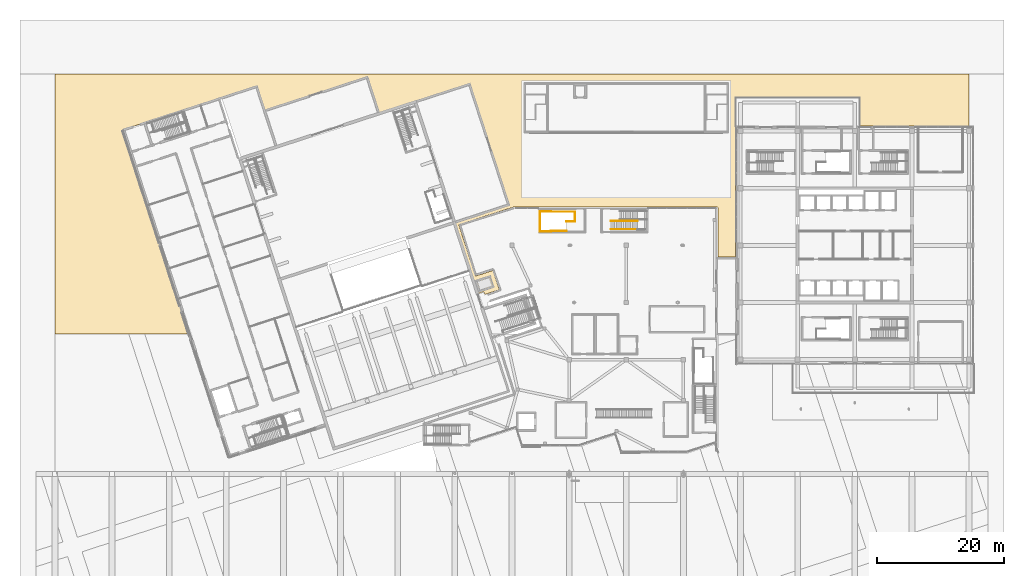
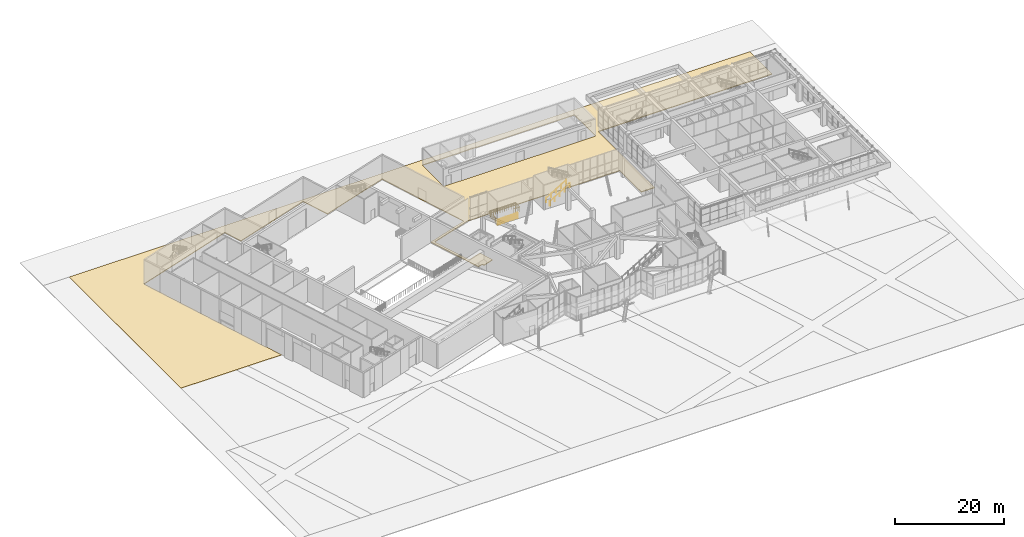
# One storey, part 68 of 72: 4 railings, 1 covering.
"""IFC4 building model written with IfcOpenShell, lengths in metres."""

from ifc_helpers import new_model, si_unit, direction, frame, origin, origin_2d, place, context, subcontext, project, spatial, polyline, circle, outline, extrude, material, layer, layer_set, type_object, element, save


model = new_model("IFC4")

# Units and contexts
model_context = context("Model", 3, precision=1e-05, world=origin(), true_north=direction((0.0, 1.0)))
body_context = subcontext(model_context, "Body", "Model", "MODEL_VIEW")
ifc_project = project(units=[si_unit("LENGTHUNIT", "METRE"), si_unit("AREAUNIT", "SQUARE_METRE"), si_unit("VOLUMEUNIT", "CUBIC_METRE"), si_unit("PLANEANGLEUNIT", "RADIAN"), si_unit("MASSUNIT", "GRAM", prefix="KILO")], contexts=[model_context])

# Site, building, storey
site_placement = place(None, origin())
site = spatial("IfcSite", under=ifc_project, at=site_placement, CompositionType="ELEMENT")
building_placement = place(site_placement, origin())
building = spatial("IfcBuilding", under=site, at=building_placement, Name="Tuart Plaza Theatre", CompositionType="ELEMENT")
storey_placement = place(building_placement, origin())
storey = spatial("IfcBuildingStorey", under=building, at=storey_placement, Name="L00", CompositionType="ELEMENT", Elevation=0.0)

# Covering
ifc_material_1 = material(Name="Stone paving", Category="masonry")
ifc_layer = layer(ifc_material_1, 0.14990234375)
ifc_layer_set = layer_set([ifc_layer], Name="COVERING-GRADE-PAVING150")
covering_type = type_object("IfcCoveringType", Name="COVERING-GRADE-PAVING150", PredefinedType="USERDEFINED", material=ifc_layer_set)
covering_placement = place(storey_placement, frame((0.0, 0.0, -0.14990234375)))
element("IfcCovering", 1, at=covering_placement, inside=storey, type_object=covering_type, Name="D-COV-SITE-GROUND-1", ObjectType="PAVING", PredefinedType="USERDEFINED", context=body_context, shape_type="SweptSolid", body=[
    extrude(outline(polyline([(72.76953125, 66.431884765625), (73.56396484375, 66.687744140625), (73.610595703125, 66.65771484375), (73.736083984375, 66.272705078125), (75.994873046875, 67.006591796875), (75.005859375, 70.050048828125), (72.29541015625, 69.16943359375), (72.26171875, 69.17041015625), (72.236328125, 69.1923828125), (69.635986328125, 77.219482421875), (69.668701171875, 77.25341796875), (78.238525390625, 80.03662109375), (110.367919921875, 80.036865234375), (110.401611328125, 80.018798828125), (110.4130859375, 79.987060546875), (110.4130859375, 72.14990234375), (113.199951171875, 72.14990234375), (113.199951171875, 92.75), (113.21826171875, 92.788818359375), (113.25, 92.800048828125), (150.0, 92.800048828125), (150.0, 101.0), (6.0, 101.0), (6.0, 60.0), (27.275390625, 60.0), (16.810791015625, 92.225830078125), (16.8447265625, 92.2646484375), (37.777587890625, 99.06494140625), (37.810302734375, 99.0576171875), (37.830810546875, 99.03076171875), (39.051513671875, 95.274169921875), (55.1962890625, 100.513671875), (55.23486328125, 100.47998046875), (57.073486328125, 94.821044921875), (71.2919921875, 99.44091796875), (71.334228515625, 99.435546875), (71.35498046875, 99.40869140625), (77.53759765625, 80.368408203125), (77.503173828125, 80.32470703125), (68.9912109375, 77.55908203125), (72.640869140625, 66.32666015625), (72.76953125, 66.431884765625)]), holes=[polyline([(79.89990234375, 91.75), (112.10009765625, 91.75), (112.10009765625, 99.60009765625), (79.89990234375, 99.60009765625), (79.89990234375, 91.75)])]), origin(), (0.0, 0.0, 1.0), 0.14990234375),
])

# Railings
ifc_material_2 = material(Name="Steel Grade C350L0", Category="steel")
railing_type_1 = type_object("IfcRailingType", Name="RAILING Guard 1100", PredefinedType="GUARDRAIL", material=ifc_material_2)
railing_1_placement = place(storey_placement, frame((82.39990234375, 76.199951171875, 0.0)))
element("IfcRailing", 2, at=railing_1_placement, inside=storey, type_object=railing_type_1, Name="GR172", PredefinedType="GUARDRAIL", context=body_context, shape_type="SweptSolid", body=[
    extrude(circle(Radius=0.02490234375, at=origin_2d()), frame((0.0, 0.0, 1.0751953125), z_axis=(0.0, 1.0, 0.0), x_axis=(-1.0, 0.0, 0.0)), (0.0, 0.0, 1.0), 3.150146484375),
    extrude(circle(Radius=0.02490234375, at=origin_2d()), frame((0.0, 3.150146484375, 1.0751953125), z_axis=(1.0, 0.0, 0.0), x_axis=(0.0, 1.0, 0.0)), (0.0, 0.0, 1.0), 1.75),
    extrude(circle(Radius=0.02490234375, at=origin_2d()), frame((1.75, 3.150146484375, 1.0751953125), z_axis=(0.0, -1.0, 0.0), x_axis=(1.0, 0.0, 0.0)), (0.0, 0.0, 1.0), 0.050048828125),
    extrude(circle(Radius=0.02490234375, at=origin_2d()), frame((1.75, 3.10009765625, 1.0751953125), z_axis=(1.0, 0.0, 0.0), x_axis=(0.0, 1.0, 0.0)), (0.0, 0.0, 1.0), 3.7900390625),
    extrude(circle(Radius=0.02490234375, at=origin_2d()), frame((5.5400390625, 3.10009765625, 1.0751953125), z_axis=(0.0, -1.0, 0.0), x_axis=(1.0, 0.0, 0.0)), (0.0, 0.0, 1.0), 1.525146484375),
    extrude(circle(Radius=0.02490234375, at=origin_2d()), frame((5.5400390625, 1.574951171875, 1.0751953125), z_axis=(-1.0, 0.0, 0.0), x_axis=(0.0, -1.0, 0.0)), (0.0, 0.0, 1.0), 1.35498046875),
    extrude(circle(Radius=0.02001953125, at=origin_2d()), origin(), (0.0, 0.0, 1.0), 1.050048828125),
    extrude(circle(Radius=0.02001953125, at=origin_2d()), frame((0.0, 0.449951171875, 0.0)), (0.0, 0.0, 1.0), 1.050048828125),
    extrude(circle(Radius=0.02001953125, at=origin_2d()), frame((0.0, 0.900146484375, 0.0)), (0.0, 0.0, 1.0), 1.050048828125),
    extrude(circle(Radius=0.02001953125, at=origin_2d()), frame((0.0, 1.35009765625, 0.0)), (0.0, 0.0, 1.0), 1.050048828125),
    extrude(circle(Radius=0.02001953125, at=origin_2d()), frame((0.0, 1.800048828125, 0.0)), (0.0, 0.0, 1.0), 1.050048828125),
    extrude(circle(Radius=0.02001953125, at=origin_2d()), frame((0.0, 2.25, 0.0)), (0.0, 0.0, 1.0), 1.050048828125),
    extrude(circle(Radius=0.02001953125, at=origin_2d()), frame((0.0, 2.7001953125, 0.0)), (0.0, 0.0, 1.0), 1.050048828125),
    extrude(circle(Radius=0.02001953125, at=origin_2d()), frame((0.0, 3.150146484375, 0.0)), (0.0, 0.0, 1.0), 1.050048828125),
    extrude(circle(Radius=0.02001953125, at=origin_2d()), frame((0.4375, 3.150146484375, 0.0)), (0.0, 0.0, 1.0), 1.050048828125),
    extrude(circle(Radius=0.02001953125, at=origin_2d()), frame((0.875, 3.150146484375, 0.0)), (0.0, 0.0, 1.0), 1.050048828125),
    extrude(circle(Radius=0.02001953125, at=origin_2d()), frame((1.3125, 3.150146484375, 0.0)), (0.0, 0.0, 1.0), 1.050048828125),
    extrude(circle(Radius=0.02001953125, at=origin_2d()), frame((1.75, 3.150146484375, 0.0)), (0.0, 0.0, 1.0), 1.050048828125),
    extrude(circle(Radius=0.02001953125, at=origin_2d()), frame((1.75, 3.10009765625, 0.0)), (0.0, 0.0, 1.0), 1.050048828125),
    extrude(circle(Radius=0.02001953125, at=origin_2d()), frame((2.2236328125, 3.10009765625, 0.0)), (0.0, 0.0, 1.0), 1.050048828125),
    extrude(circle(Radius=0.02001953125, at=origin_2d()), frame((2.697509765625, 3.10009765625, 0.0)), (0.0, 0.0, 1.0), 1.050048828125),
    extrude(circle(Radius=0.02001953125, at=origin_2d()), frame((3.17138671875, 3.10009765625, 0.0)), (0.0, 0.0, 1.0), 1.050048828125),
    extrude(circle(Radius=0.02001953125, at=origin_2d()), frame((3.64501953125, 3.10009765625, 0.0)), (0.0, 0.0, 1.0), 1.050048828125),
    extrude(circle(Radius=0.02001953125, at=origin_2d()), frame((4.11865234375, 3.10009765625, 0.0)), (0.0, 0.0, 1.0), 1.050048828125),
    extrude(circle(Radius=0.02001953125, at=origin_2d()), frame((4.592529296875, 3.10009765625, 0.0)), (0.0, 0.0, 1.0), 1.050048828125),
    extrude(circle(Radius=0.02001953125, at=origin_2d()), frame((5.06640625, 3.10009765625, 0.0)), (0.0, 0.0, 1.0), 1.050048828125),
    extrude(circle(Radius=0.02001953125, at=origin_2d()), frame((5.5400390625, 3.10009765625, 0.0)), (0.0, 0.0, 1.0), 1.050048828125),
    extrude(circle(Radius=0.02001953125, at=origin_2d()), frame((5.5400390625, 2.71875, 0.0)), (0.0, 0.0, 1.0), 1.050048828125),
    extrude(circle(Radius=0.02001953125, at=origin_2d()), frame((5.5400390625, 2.33740234375, 0.0)), (0.0, 0.0, 1.0), 1.050048828125),
    extrude(circle(Radius=0.02001953125, at=origin_2d()), frame((5.5400390625, 1.956298828125, 0.0)), (0.0, 0.0, 1.0), 1.050048828125),
    extrude(circle(Radius=0.02001953125, at=origin_2d()), frame((5.5400390625, 1.574951171875, 0.0)), (0.0, 0.0, 1.0), 1.050048828125),
    extrude(circle(Radius=0.02001953125, at=origin_2d()), frame((5.08837890625, 1.574951171875, 0.0)), (0.0, 0.0, 1.0), 1.050048828125),
    extrude(circle(Radius=0.02001953125, at=origin_2d()), frame((4.63671875, 1.574951171875, 0.0)), (0.0, 0.0, 1.0), 1.050048828125),
    extrude(circle(Radius=0.02001953125, at=origin_2d()), frame((4.18505859375, 1.574951171875, 0.0)), (0.0, 0.0, 1.0), 1.050048828125),
])
railing_2_placement = place(storey_placement, frame((86.580078125, 76.294921875, 0.0)))
element("IfcRailing", 3, at=railing_2_placement, inside=storey, type_object=railing_type_1, Name="GR173", PredefinedType="GUARDRAIL", context=body_context, shape_type="SweptSolid", body=[
    extrude(circle(Radius=0.02490234375, at=origin_2d()), frame((0.0, 0.0, 1.0751953125), z_axis=(0.0, -1.0, 0.0), x_axis=(1.0, 0.0, 0.0)), (0.0, 0.0, 1.0), 0.044921875),
    extrude(circle(Radius=0.02490234375, at=origin_2d()), frame((0.0, -0.044921875, 1.0751953125), z_axis=(-1.0, 0.0, 0.0), x_axis=(0.0, -1.0, 0.0)), (0.0, 0.0, 1.0), 2.43017578125),
    extrude(circle(Radius=0.02490234375, at=origin_2d()), frame((-2.43017578125, -0.044921875, 1.0751953125), z_axis=(0.0, -1.0, 0.0), x_axis=(1.0, 0.0, 0.0)), (0.0, 0.0, 1.0), 0.050048828125),
    extrude(circle(Radius=0.02490234375, at=origin_2d()), frame((-2.43017578125, -0.094970703125, 1.0751953125), z_axis=(-1.0, 0.0, 0.0), x_axis=(0.0, -1.0, 0.0)), (0.0, 0.0, 1.0), 1.75),
    extrude(circle(Radius=0.02001953125, at=origin_2d()), origin(), (0.0, 0.0, 1.0), 1.050048828125),
    extrude(circle(Radius=0.02001953125, at=origin_2d()), frame((0.0, -0.044921875, 0.0)), (0.0, 0.0, 1.0), 1.050048828125),
    extrude(circle(Radius=0.02001953125, at=origin_2d()), frame((-0.486083984375, -0.044921875, 0.0)), (0.0, 0.0, 1.0), 1.050048828125),
    extrude(circle(Radius=0.02001953125, at=origin_2d()), frame((-0.97216796875, -0.044921875, 0.0)), (0.0, 0.0, 1.0), 1.050048828125),
    extrude(circle(Radius=0.02001953125, at=origin_2d()), frame((-1.4580078125, -0.044921875, 0.0)), (0.0, 0.0, 1.0), 1.050048828125),
    extrude(circle(Radius=0.02001953125, at=origin_2d()), frame((-1.944091796875, -0.044921875, 0.0)), (0.0, 0.0, 1.0), 1.050048828125),
    extrude(circle(Radius=0.02001953125, at=origin_2d()), frame((-2.43017578125, -0.044921875, 0.0)), (0.0, 0.0, 1.0), 1.050048828125),
    extrude(circle(Radius=0.02001953125, at=origin_2d()), frame((-2.43017578125, -0.094970703125, 0.0)), (0.0, 0.0, 1.0), 1.050048828125),
    extrude(circle(Radius=0.02001953125, at=origin_2d()), frame((-2.86767578125, -0.094970703125, 0.0)), (0.0, 0.0, 1.0), 1.050048828125),
    extrude(circle(Radius=0.02001953125, at=origin_2d()), frame((-3.30517578125, -0.094970703125, 0.0)), (0.0, 0.0, 1.0), 1.050048828125),
    extrude(circle(Radius=0.02001953125, at=origin_2d()), frame((-3.74267578125, -0.094970703125, 0.0)), (0.0, 0.0, 1.0), 1.050048828125),
    extrude(circle(Radius=0.02001953125, at=origin_2d()), frame((-4.18017578125, -0.094970703125, 0.0)), (0.0, 0.0, 1.0), 1.050048828125),
])
ifc_material_3 = material(Name="Steel Grade C350L0", Category="steel")
railing_type_2 = type_object("IfcRailingType", Name="RAILING Handrail 900", PredefinedType="HANDRAIL", material=ifc_material_3)
for number, where, name in (
    (4, (93.60009765625, 77.824951171875, 0.171875), "HR67"),
    (5, (93.60009765625, 76.52490234375, 0.171875), "HR68"),
):
    element("IfcRailing", number, at=place(storey_placement, frame(where)), inside=storey, type_object=railing_type_2, Name=name, PredefinedType="HANDRAIL", context=body_context, shape_type="SweptSolid", body=[
        extrude(circle(Radius=0.0224609375, at=origin_2d()), frame((0.0, 0.0, 0.87744140625), z_axis=(0.852242915053, 0.0, 0.523146264196), x_axis=(0.0, 1.0, 0.0)), (0.0, 0.0, 1.0), 4.92822265625),
        extrude(circle(Radius=0.01513671875, at=origin_2d()), origin(), (0.0, 0.0, 1.0), 0.85498046875),
        extrude(circle(Radius=0.01513671875, at=origin_2d()), frame((1.050048828125, 0.0, 0.64453125)), (0.0, 0.0, 1.0), 0.85498046875),
        extrude(circle(Radius=0.01513671875, at=origin_2d()), frame((2.10009765625, 0.0, 1.2890625)), (0.0, 0.0, 1.0), 0.85498046875),
        extrude(circle(Radius=0.01513671875, at=origin_2d()), frame((3.14990234375, 0.0, 1.93359375)), (0.0, 0.0, 1.0), 0.85498046875),
        extrude(circle(Radius=0.01513671875, at=origin_2d()), frame((4.199951171875, 0.0, 2.578125)), (0.0, 0.0, 1.0), 0.85498046875),
    ])

save(model, "model.ifc")
